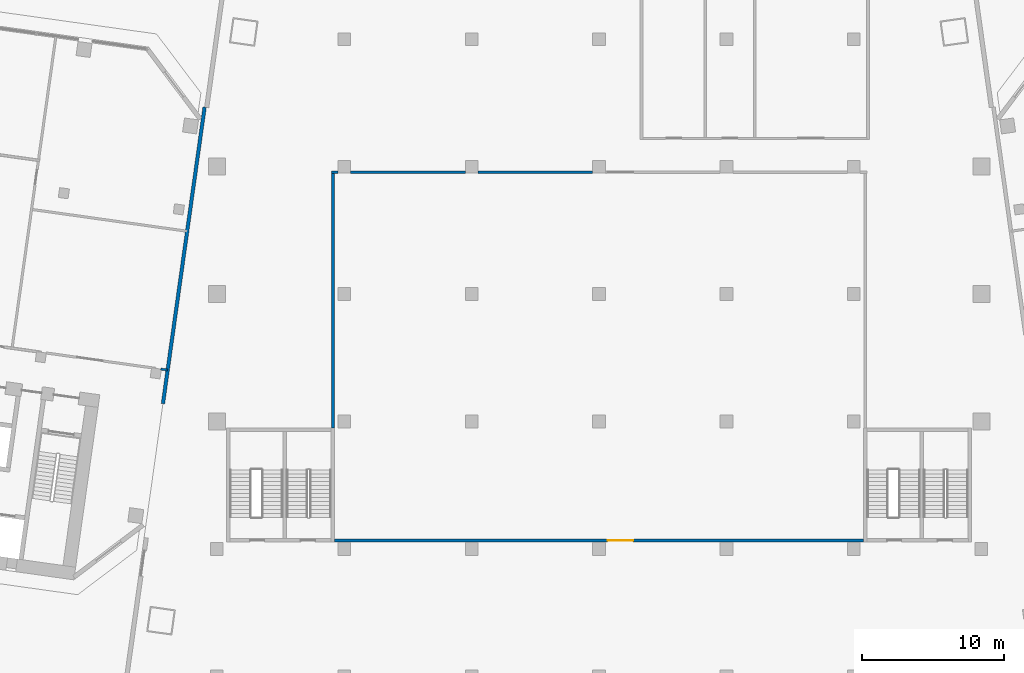
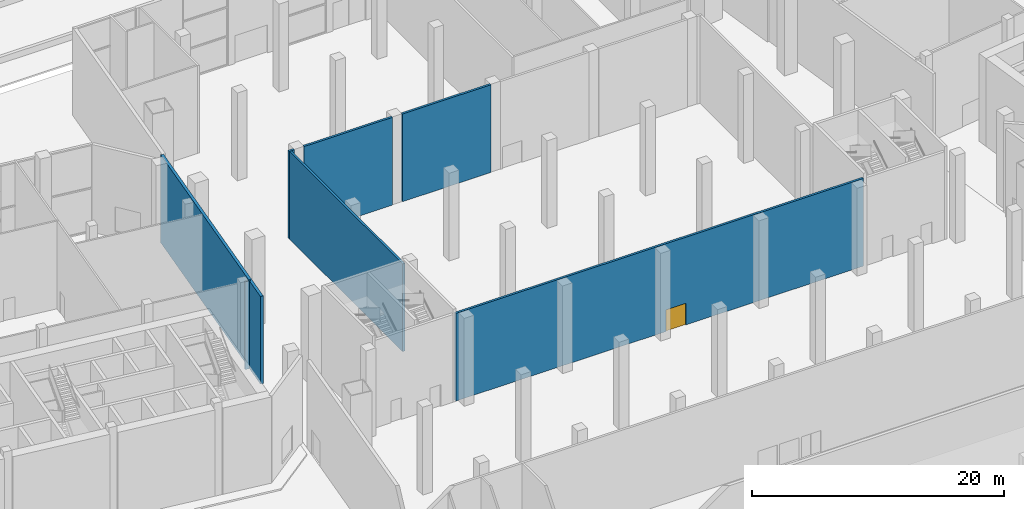
# One storey, part 21 of 34: 7 walls, 1 door, 1 opening.
"""IFC4 building model written with IfcOpenShell, lengths in metres."""

import ifcopenshell
import ifcopenshell.guid

model = None  # the IFC model being written
_history = None  # IfcOwnerHistory: only IFC2X3 demands one
_inside = {}  # id of a spatial element -> (the spatial element, [elements in it])
_under = {}  # id of a project, library or spatial element -> (it, [spatial elements below it])
_declared = {}  # id of a project -> (the project, [libraries it declares])
_typed = {}  # id of a type object -> (the type object, [elements of that type])
_made_of = {}  # id of a material, layer set ... -> (it, [elements and type objects made of it])


def new_model(schema):
    """Start an empty IFC model of exactly this schema.

    Asked for "IFC4X3", IfcOpenShell would pick the latest addendum, in which some entities
    have other attributes; the version numbers below select the first issue.
    IFC2X3 requires an IfcOwnerHistory on every rooted entity: one is made here for all.
    """
    global model, _history
    if schema == "IFC4X3":
        model = ifcopenshell.file(schema_version=(4, 3, 0, 0))
    else:
        model = ifcopenshell.file(schema=schema)
    _inside.clear()
    _under.clear()
    _declared.clear()
    _typed.clear()
    _made_of.clear()
    _history = None
    if model.schema == "IFC2X3":
        org = make("IfcOrganization", Name="unknown")
        user = make(
            "IfcPersonAndOrganization",
            ThePerson=make("IfcPerson", FamilyName="unknown"),
            TheOrganization=org,
        )
        app = make(
            "IfcApplication",
            ApplicationDeveloper=org,
            Version="unknown",
            ApplicationFullName="unknown",
            ApplicationIdentifier="unknown",
        )
        _history = make(
            "IfcOwnerHistory",
            OwningUser=user,
            OwningApplication=app,
            ChangeAction="ADDED",
            CreationDate=0,
        )
    return model


def make(cls, **values):
    """One entity of the class cls with the attributes given. An attribute that is None is left unset."""
    return model.create_entity(
        cls, **{name: value for name, value in values.items() if value is not None}
    )


def rooted(cls, **values):
    """An entity with a GlobalId (a new one), such as an element, a storey or a relation."""
    return make(cls, GlobalId=ifcopenshell.guid.new(), OwnerHistory=_history, **values)


def si_unit(unit_type, name, prefix=None):
    """IfcSIUnit, for example si_unit("LENGTHUNIT", "METRE", prefix="MILLI")."""
    return make("IfcSIUnit", UnitType=unit_type, Prefix=prefix, Name=name)


def assignment(units):
    """IfcUnitAssignment: the units of a project."""
    return None if units is None else make("IfcUnitAssignment", Units=units)


def point(xyz):
    """IfcCartesianPoint."""
    return None if xyz is None else make("IfcCartesianPoint", Coordinates=xyz)


def direction(xyz):
    """IfcDirection."""
    return None if xyz is None else make("IfcDirection", DirectionRatios=xyz)


def frame(location, z_axis=None, x_axis=None):
    """IfcAxis2Placement3D, a coordinate frame: its origin and axes. An axis left out is left unset."""
    return make(
        "IfcAxis2Placement3D",
        Location=point(location),
        Axis=direction(z_axis),
        RefDirection=direction(x_axis),
    )


def frame_2d(location, x_axis=None):
    """IfcAxis2Placement2D, a coordinate frame in the plane: its origin and x axis."""
    return make(
        "IfcAxis2Placement2D", Location=point(location), RefDirection=direction(x_axis)
    )


def origin():
    """The frame at (0, 0, 0) with its axes left unset."""
    return frame((0.0, 0.0, 0.0))


def place(relative_to, where):
    """IfcLocalPlacement: puts the frame where relative to a parent placement (None: the world)."""
    return make(
        "IfcLocalPlacement", PlacementRelTo=relative_to, RelativePlacement=where
    )


def context(
    kind, dimensions, precision=None, world=None, true_north=None, identifier=None
):
    """IfcGeometricRepresentationContext, for example the 3D "Model" context."""
    return make(
        "IfcGeometricRepresentationContext",
        ContextIdentifier=identifier,
        ContextType=kind,
        CoordinateSpaceDimension=dimensions,
        Precision=precision,
        WorldCoordinateSystem=world,
        TrueNorth=true_north,
    )


def subcontext(parent, identifier, kind, view, scale=None):
    """IfcGeometricRepresentationSubContext, for example "Body" below "Model"."""
    return make(
        "IfcGeometricRepresentationSubContext",
        ContextIdentifier=identifier,
        ContextType=kind,
        ParentContext=parent,
        TargetScale=scale,
        TargetView=view,
    )


def project(units=None, contexts=None):
    """IfcProject with its units and contexts."""
    return rooted(
        "IfcProject",
        Name="project",
        RepresentationContexts=contexts,
        UnitsInContext=assignment(units),
    )


def spatial(cls, under=None, at=None, **own):
    """A site, building, storey or space (cls), placed at a placement, below another one or the project."""
    s = rooted(cls, ObjectPlacement=at, **own)
    if under is not None:
        _under.setdefault(under.id(), (under, []))[1].append(s)
    return s


def profile(cls, at=None, kind="AREA", **sizes):
    """A parametric profile (cls). Its sizes go by their IFC names, for example OverallWidth=200.0."""
    return make(cls, ProfileType=kind, Position=at, **sizes)


def rectangle(**sizes):
    """IfcRectangleProfileDef."""
    return profile("IfcRectangleProfileDef", **sizes)


def extrude(swept, where, along, depth):
    """IfcExtrudedAreaSolid: the profile swept, set in the frame where, extruded along a direction by depth."""
    return make(
        "IfcExtrudedAreaSolid",
        SweptArea=swept,
        Position=where,
        ExtrudedDirection=direction(along),
        Depth=depth,
    )


def shape(context_of_items, identifier, shape_type, items):
    """IfcShapeRepresentation: the items that make up one representation, for example the "Body"."""
    return make(
        "IfcShapeRepresentation",
        ContextOfItems=context_of_items,
        RepresentationIdentifier=identifier,
        RepresentationType=shape_type,
        Items=items,
    )


def material(Name=None, Category=None):
    """IfcMaterial."""
    return make("IfcMaterial", Name=Name, Category=Category)


def layer(
    of_material, thickness, ventilated=None, Name=None, Category=None, Priority=None
):
    """IfcMaterialLayer: one layer of a wall or slab, of a material (None: an air gap)."""
    return make(
        "IfcMaterialLayer",
        Material=of_material,
        LayerThickness=thickness,
        IsVentilated=ventilated,
        Name=Name,
        Category=Category,
        Priority=Priority,
    )


def layer_set(layers, Name=None):
    """IfcMaterialLayerSet."""
    return make("IfcMaterialLayerSet", MaterialLayers=layers, LayerSetName=Name)


def made_of(thing, what):
    """Note that an element or type object is made of a material, layer set ...; save() writes the relation."""
    if what is not None:
        _made_of.setdefault(what.id(), (what, []))[1].append(thing)
    return thing


def type_object(cls, material=None, **own):
    """A type object (cls), such as IfcWallType, which elements share."""
    return made_of(rooted(cls, **own), material)


def element(
    cls,
    number,
    at=None,
    inside=None,
    cuts=None,
    type_object=None,
    material=None,
    context=None,
    identifier="Body",
    shape_type=None,
    held_by="IfcProductDefinitionShape",
    body=None,
    shapes=None,
    **own,
):
    """One element of the class cls, such as IfcWall. Its Tag is "e" and its number.

    at: its placement. inside: the storey or other place that contains it. cuts: it is an
    opening in that element (IfcRelVoidsElement). A single representation is given by context,
    identifier, shape_type and body (its items); several are given by shapes. held_by: the class
    of the entity that holds the representations. save() writes the other relations.
    """
    e = rooted(cls, Tag="e%d" % number, ObjectPlacement=at, **own)
    if body is not None:
        shapes = [shape(context, identifier, shape_type, body)]
    if shapes is not None:
        e.Representation = make(held_by, Representations=shapes)
    if inside is not None:
        _inside.setdefault(inside.id(), (inside, []))[1].append(e)
    if cuts is not None:
        rooted(
            "IfcRelVoidsElement", RelatingBuildingElement=cuts, RelatedOpeningElement=e
        )
    if type_object is not None:
        _typed.setdefault(type_object.id(), (type_object, []))[1].append(e)
    return made_of(e, material)


def fill(opening, filler):
    """IfcRelFillsElement: the door or window that sits in an opening."""
    return rooted(
        "IfcRelFillsElement",
        RelatingOpeningElement=opening,
        RelatedBuildingElement=filler,
    )


def aggregate(whole, parts):
    """IfcRelAggregates: a whole, such as a stair, and the parts it consists of."""
    return rooted("IfcRelAggregates", RelatingObject=whole, RelatedObjects=parts)


def save(model, path):
    """Write the relations noted so far, then the file.

    IfcRelAggregates (storeys below a building ...), IfcRelContainedInSpatialStructure (elements
    in a storey), IfcRelDefinesByType, IfcRelAssociatesMaterial and IfcRelDeclares: one each for
    every whole, place, type object, material and project.
    """
    for whole, parts in _under.values():
        aggregate(whole, parts)
    for where, things in _inside.values():
        rooted(
            "IfcRelContainedInSpatialStructure",
            RelatedElements=things,
            RelatingStructure=where,
        )
    for kind, things in _typed.values():
        rooted("IfcRelDefinesByType", RelatedObjects=things, RelatingType=kind)
    for what, things in _made_of.values():
        rooted("IfcRelAssociatesMaterial", RelatedObjects=things, RelatingMaterial=what)
    for by, libraries in _declared.values():
        rooted("IfcRelDeclares", RelatingContext=by, RelatedDefinitions=libraries)
    model.write(path)


model = new_model("IFC4")

# Units and contexts
model_context = context("Model", 3, precision=1e-05, world=origin(), true_north=direction((0.0, 1.0)))
body_context = subcontext(model_context, "Body", "Model", "MODEL_VIEW")
ifc_project = project(units=[si_unit("LENGTHUNIT", "METRE"), si_unit("AREAUNIT", "SQUARE_METRE"), si_unit("VOLUMEUNIT", "CUBIC_METRE"), si_unit("PLANEANGLEUNIT", "RADIAN"), si_unit("MASSUNIT", "GRAM", prefix="KILO")], contexts=[model_context])

# Site, building, storey
site_placement = place(None, origin())
site = spatial("IfcSite", under=ifc_project, at=site_placement, CompositionType="ELEMENT")
building_placement = place(site_placement, origin())
building = spatial("IfcBuilding", under=site, at=building_placement, Name="Mirante Cascada Hotel Towers", CompositionType="ELEMENT")
storey_placement = place(building_placement, origin())
storey = spatial("IfcBuildingStorey", under=building, at=storey_placement, Name="L00", CompositionType="ELEMENT", Elevation=0.0)

# Wall
ifc_material_1 = material(Name="Masonry block", Category="masonry")
ifc_layer_1 = layer(ifc_material_1, 0.15)
ifc_layer_set_1 = layer_set([ifc_layer_1], Name="Exit passage wall 150 block EI 120")
wall_type_1 = type_object("IfcWallType", Name="Exit passage wall 150 block EI 120", PredefinedType="PARTITIONING", material=ifc_layer_set_1)
wall_1_placement = place(storey_placement, frame((-30.9641, -5.2979, 0.0), z_axis=(0.0, 0.0, 1.0), x_axis=(0.9902657, -0.1391899, 0.0)))
element("IfcWall", 1, at=wall_1_placement, inside=storey, type_object=wall_type_1, Name="Exit passage wall T1 L00", PredefinedType="PARTITIONING", context=body_context, shape_type="SweptSolid", body=[
    extrude(rectangle(XDim=0.4957, YDim=0.15, at=frame_2d((0.2478, 0.0))), origin(), (0.0, 0.0, 1.0), 8.5),
])

# Wall, opening, door
ifc_material_2 = material(Name="Masonry block", Category="masonry")
ifc_layer_2 = layer(ifc_material_2, 0.2)
ifc_layer_set_2 = layer_set([ifc_layer_2], Name="Hall wall 200 block")
wall_type_2 = type_object("IfcWallType", Name="Hall wall 200 block", PredefinedType="PARTITIONING", material=ifc_layer_set_2)
wall_2_placement = place(storey_placement, frame((-18.675, -17.4, 0.0), z_axis=(0.0, 0.0, 1.0), x_axis=(1.0, 0.0, 0.0)))
wall_2 = element("IfcWall", 2, at=wall_2_placement, inside=storey, type_object=wall_type_2, Name="Hall wall P L00", PredefinedType="PARTITIONING", context=body_context, shape_type="SweptSolid", body=[
    extrude(rectangle(XDim=37.35, YDim=0.2, at=frame_2d((18.675, 0.0))), origin(), (0.0, 0.0, 1.0), 8.5),
])
opening_placement = place(wall_2_placement, frame((19.275, 0.0, 0.0)))
opening = element("IfcOpeningElement", 3, at=opening_placement, cuts=wall_2, Name="Opening DP-L00-08", PredefinedType="OPENING", context=body_context, shape_type="SweptSolid", body=[
    extrude(rectangle(XDim=1.8, YDim=2.1, at=frame_2d((0.9, 1.05))), frame((0.0, 0.1, 0.0), z_axis=(0.0, -1.0, 0.0), x_axis=(1.0, 0.0, 0.0)), (0.0, 0.0, 1.0), 0.2),
])
ifc_material_3 = material(Name="Timber door leaf", Category="wood")
door_type = type_object("IfcDoorType", Name="Double door 1800x2100", OperationType="DOUBLE_DOOR_SINGLE_SWING", PredefinedType="DOOR", material=ifc_material_3)
door_placement = place(opening_placement, origin())
door = element("IfcDoor", 4, at=door_placement, inside=storey, type_object=door_type, Name="Door DP-L00-08", OperationType="DOUBLE_DOOR_SINGLE_SWING", OverallHeight=2.1, OverallWidth=1.8, PredefinedType="DOOR", context=body_context, shape_type="SweptSolid", body=[
    extrude(rectangle(XDim=0.895, YDim=2.1, at=frame_2d((0.4475, 1.05))), frame((0.0, 0.025, 0.0), z_axis=(0.0, -1.0, 0.0), x_axis=(1.0, 0.0, 0.0)), (0.0, 0.0, 1.0), 0.05),
    extrude(rectangle(XDim=0.895, YDim=2.1, at=frame_2d((1.3525, 1.05))), frame((0.0, 0.025, 0.0), z_axis=(0.0, -1.0, 0.0), x_axis=(1.0, 0.0, 0.0)), (0.0, 0.0, 1.0), 0.05),
])
fill(opening, door)

# Walls
wall_3_placement = place(storey_placement, frame((-18.91, 8.6, 0.0), z_axis=(0.0, 0.0, 1.0), x_axis=(1.0, 0.0, 0.0)))
element("IfcWall", 5, at=wall_3_placement, inside=storey, type_object=wall_type_2, Name="Hall wall P L00", PredefinedType="PARTITIONING", context=body_context, shape_type="SweptSolid", body=[
    extrude(rectangle(XDim=0.46, YDim=0.2, at=frame_2d((0.23, 0.0))), origin(), (0.0, 0.0, 1.0), 8.5),
])
wall_4_placement = place(storey_placement, frame((-18.8, -9.475, 0.0), z_axis=(0.0, 0.0, 1.0), x_axis=(0.0, 1.0, 0.0)))
element("IfcWall", 6, at=wall_4_placement, inside=storey, type_object=wall_type_2, Name="Hall wall P L00", PredefinedType="PARTITIONING", context=body_context, shape_type="SweptSolid", body=[
    extrude(rectangle(XDim=17.975, YDim=0.2, at=frame_2d((8.9875, 0.0))), origin(), (0.0, 0.0, 1.0), 8.5),
])
for number, where, z_axis, x_axis, name in (
    (7, (-17.55, 8.6, 0.0), (0.0, 0.0, 1.0), (1.0, 0.0, 0.0), "Hall wall P L00"),
    (8, (-8.55, 8.6, 0.0), (0.0, 0.0, 1.0), (1.0, 0.0, 0.0), "Hall wall P L00"),
):
    element("IfcWall", number, at=place(storey_placement, frame(where, z_axis=z_axis, x_axis=x_axis)), inside=storey, type_object=wall_type_2, Name=name, PredefinedType="PARTITIONING", context=body_context, shape_type="SweptSolid", body=[
        extrude(rectangle(XDim=8.1, YDim=0.2, at=frame_2d((4.05, 0.0))), origin(), (0.0, 0.0, 1.0), 8.5),
    ])
ifc_material_4 = material(Name="Masonry block", Category="masonry")
ifc_layer_3 = layer(ifc_material_4, 0.25)
ifc_layer_set_3 = layer_set([ifc_layer_3], Name="Plant room wall 250 block EI 120")
wall_type_3 = type_object("IfcWallType", Name="Plant room wall 250 block EI 120", PredefinedType="PARTITIONING", material=ifc_layer_set_3)
wall_5_placement = place(storey_placement, frame((-30.8072, -7.7436, 0.0), z_axis=(0.0, 0.0, 1.0), x_axis=(0.1391722, 0.9902682, 0.0)))
element("IfcWall", 9, at=wall_5_placement, inside=storey, type_object=wall_type_3, Name="Compartment wall T1 L00", PredefinedType="PARTITIONING", context=body_context, shape_type="SweptSolid", body=[
    extrude(rectangle(XDim=21.1486, YDim=0.25, at=frame_2d((10.5743, 0.0))), origin(), (0.0, 0.0, 1.0), 8.5),
])

save(model, "model.ifc")
